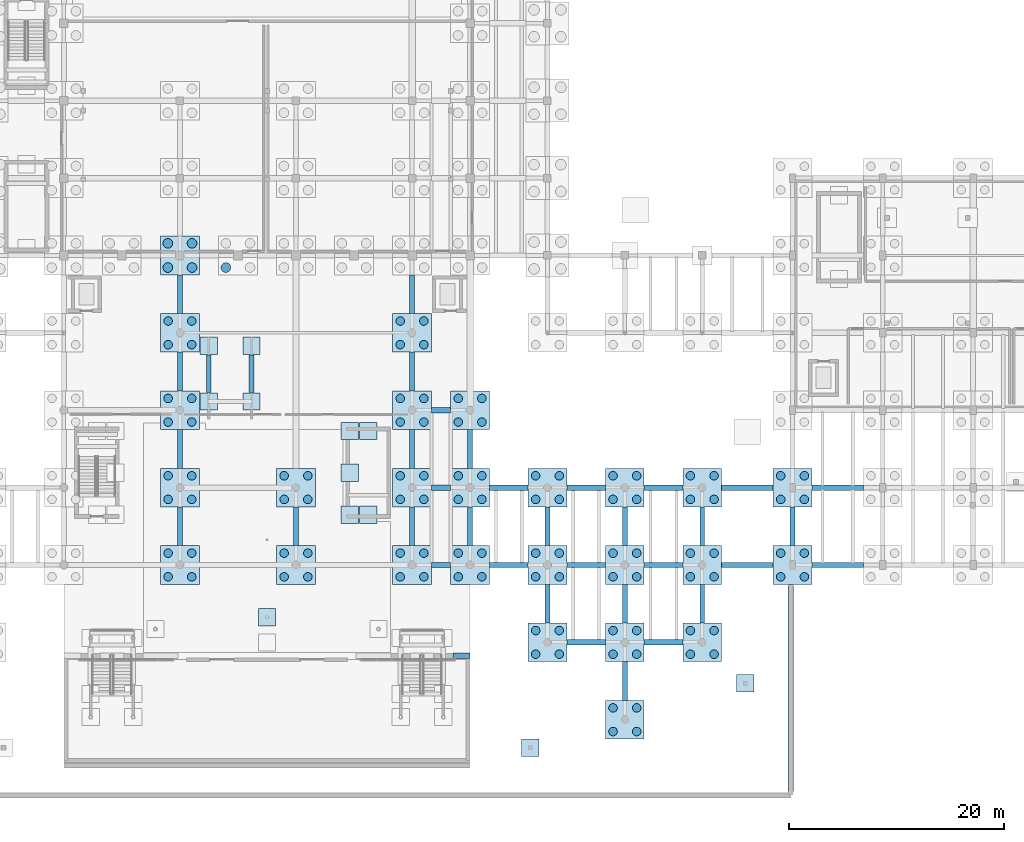
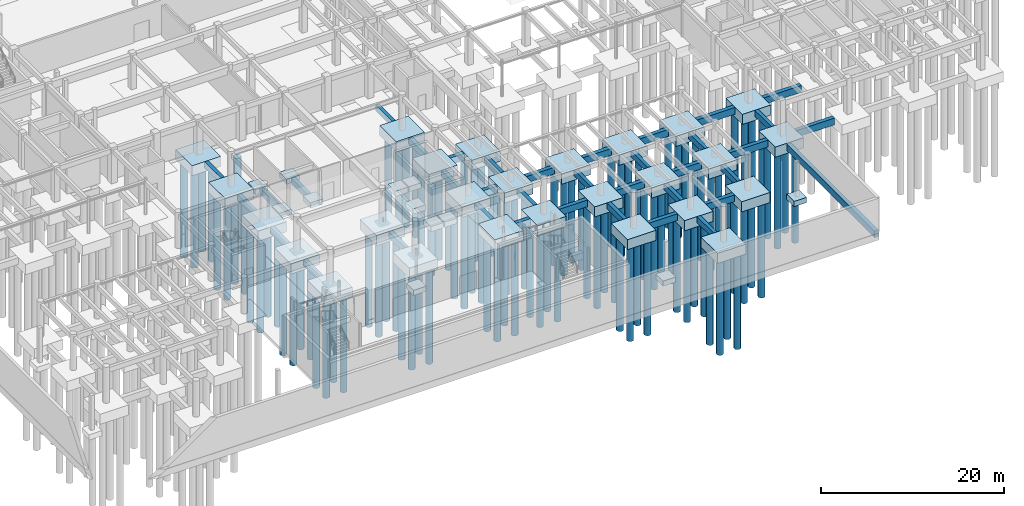
# One storey, part 3 of 46: 105 piles, 76 footings.
"""IFC4 building model written with IfcOpenShell, lengths in metres."""

from ifc_helpers import new_model, si_unit, direction, frame, origin, origin_2d, place, context, subcontext, project, spatial, rectangle, circle, extrude, material, material_profile, profile_set, type_object, element, save


model = new_model("IFC4")

# Units and contexts
model_context = context("Model", 3, precision=1e-05, world=origin(), true_north=direction((0.0, 1.0)))
body_context = subcontext(model_context, "Body", "Model", "MODEL_VIEW")
ifc_project = project(units=[si_unit("LENGTHUNIT", "METRE"), si_unit("AREAUNIT", "SQUARE_METRE"), si_unit("VOLUMEUNIT", "CUBIC_METRE"), si_unit("PLANEANGLEUNIT", "RADIAN"), si_unit("MASSUNIT", "GRAM", prefix="KILO")], contexts=[model_context])

# Site, building, storey
site_placement = place(None, origin())
site = spatial("IfcSite", under=ifc_project, at=site_placement, CompositionType="ELEMENT")
building_placement = place(site_placement, origin())
building = spatial("IfcBuilding", under=site, at=building_placement, Name="Tazoul Stagehouse", CompositionType="ELEMENT")
storey_placement = place(building_placement, frame((0.0, 0.0, -4.800048828125)))
storey = spatial("IfcBuildingStorey", under=building, at=storey_placement, Name="B1", CompositionType="ELEMENT", Elevation=-4.800048828125)

# Piles
ifc_material = material(Name="Concrete C35/45", Category="concrete")
ifc_material_profile_1 = material_profile(ifc_material, circle(Radius=0.39990234375, at=origin_2d()), Name="BORED PILE 800")
ifc_profile_set_1 = profile_set([ifc_material_profile_1], Name="Concrete C35/45")
pile_type_1 = type_object("IfcPileType", Name="Bored Cast-in-Place Concrete Pile D800", PredefinedType="BORED", material=ifc_profile_set_1)
for number, where, z_axis, x_axis, name in (
    (1, (67.300048828125, 21.89990234375, -1.25), (0.0, 0.0, -1.0), (1.0, 0.0, 0.0), "Bored Pile PL-01 10/D-1"),
    (2, (69.5, 21.89990234375, -1.25), (0.0, 0.0, -1.0), (1.0, 0.0, 0.0), "Bored Pile PL-01 10/D-2"),
    (3, (67.300048828125, 24.10009765625, -1.25), (0.0, 0.0, -1.0), (1.0, 0.0, 0.0), "Bored Pile PL-01 10/D-3"),
    (4, (69.5, 24.10009765625, -1.25), (0.0, 0.0, -1.0), (1.0, 0.0, 0.0), "Bored Pile PL-01 10/D-4"),
    (5, (67.300048828125, 29.10009765625, -1.25), (0.0, 0.0, -1.0), (1.0, 0.0, 0.0), "Bored Pile PL-01 10/E-1"),
    (6, (69.5, 29.10009765625, -1.25), (0.0, 0.0, -1.0), (1.0, 0.0, 0.0), "Bored Pile PL-01 10/E-2"),
    (7, (67.300048828125, 31.300048828125, -1.25), (0.0, 0.0, -1.0), (1.0, 0.0, 0.0), "Bored Pile PL-01 10/E-3"),
    (8, (69.5, 31.300048828125, -1.25), (0.0, 0.0, -1.0), (1.0, 0.0, 0.0), "Bored Pile PL-01 10/E-4"),
    (9, (67.300048828125, 36.300048828125, -1.25), (0.0, 0.0, -1.0), (1.0, 0.0, 0.0), "Bored Pile PL-01 10/F-1"),
    (10, (69.5, 36.300048828125, -1.25), (0.0, 0.0, -1.0), (1.0, 0.0, 0.0), "Bored Pile PL-01 10/F-2"),
    (11, (67.300048828125, 38.5, -1.25), (0.0, 0.0, -1.0), (1.0, 0.0, 0.0), "Bored Pile PL-01 10/F-3"),
    (12, (69.5, 38.5, -1.25), (0.0, 0.0, -1.0), (1.0, 0.0, 0.0), "Bored Pile PL-01 10/F-4"),
    (13, (67.300048828125, 43.5, -1.25), (0.0, 0.0, -1.0), (1.0, 0.0, 0.0), "Bored Pile PL-01 10/G-1"),
    (14, (69.5, 43.5, -1.25), (0.0, 0.0, -1.0), (1.0, 0.0, 0.0), "Bored Pile PL-01 10/G-2"),
    (15, (67.300048828125, 45.699951171875, -1.25), (0.0, 0.0, -1.0), (1.0, 0.0, 0.0), "Bored Pile PL-01 10/G-3"),
    (16, (69.5, 45.699951171875, -1.25), (0.0, 0.0, -1.0), (1.0, 0.0, 0.0), "Bored Pile PL-01 10/G-4"),
    (17, (78.10009765625, 21.89990234375, -1.25), (0.0, 0.0, -1.0), (1.0, 0.0, 0.0), "Bored Pile PL-01 12/D-1"),
    (18, (80.300048828125, 21.89990234375, -1.25), (0.0, 0.0, -1.0), (1.0, 0.0, 0.0), "Bored Pile PL-01 12/D-2"),
    (19, (78.10009765625, 24.10009765625, -1.25), (0.0, 0.0, -1.0), (1.0, 0.0, 0.0), "Bored Pile PL-01 12/D-3"),
    (20, (80.300048828125, 24.10009765625, -1.25), (0.0, 0.0, -1.0), (1.0, 0.0, 0.0), "Bored Pile PL-01 12/D-4"),
    (21, (78.10009765625, 29.10009765625, -1.25), (0.0, 0.0, -1.0), (1.0, 0.0, 0.0), "Bored Pile PL-01 12/E-1"),
    (22, (80.300048828125, 29.10009765625, -1.25), (0.0, 0.0, -1.0), (1.0, 0.0, 0.0), "Bored Pile PL-01 12/E-2"),
    (23, (78.10009765625, 31.300048828125, -1.25), (0.0, 0.0, -1.0), (1.0, 0.0, 0.0), "Bored Pile PL-01 12/E-3"),
    (24, (80.300048828125, 31.300048828125, -1.25), (0.0, 0.0, -1.0), (1.0, 0.0, 0.0), "Bored Pile PL-01 12/E-4"),
    (25, (88.89990234375, 21.89990234375, -1.25), (0.0, 0.0, -1.0), (1.0, 0.0, 0.0), "Bored Pile PL-01 14/D-1"),
    (26, (91.10009765625, 21.89990234375, -1.25), (0.0, 0.0, -1.0), (1.0, 0.0, 0.0), "Bored Pile PL-01 14/D-2"),
    (27, (88.89990234375, 24.10009765625, -1.25), (0.0, 0.0, -1.0), (1.0, 0.0, 0.0), "Bored Pile PL-01 14/D-3"),
    (28, (91.10009765625, 24.10009765625, -1.25), (0.0, 0.0, -1.0), (1.0, 0.0, 0.0), "Bored Pile PL-01 14/D-4"),
    (29, (88.89990234375, 29.10009765625, -1.25), (0.0, 0.0, -1.0), (1.0, 0.0, 0.0), "Bored Pile PL-01 14/E-1"),
    (30, (91.10009765625, 29.10009765625, -1.25), (0.0, 0.0, -1.0), (1.0, 0.0, 0.0), "Bored Pile PL-01 14/E-2"),
    (31, (88.89990234375, 31.300048828125, -1.25), (0.0, 0.0, -1.0), (1.0, 0.0, 0.0), "Bored Pile PL-01 14/E-3"),
    (32, (91.10009765625, 31.300048828125, -1.25), (0.0, 0.0, -1.0), (1.0, 0.0, 0.0), "Bored Pile PL-01 14/E-4"),
    (33, (88.89990234375, 36.300048828125, -1.25), (0.0, 0.0, -1.0), (1.0, 0.0, 0.0), "Bored Pile PL-01 14/F-1"),
    (34, (91.10009765625, 36.300048828125, -1.25), (0.0, 0.0, -1.0), (1.0, 0.0, 0.0), "Bored Pile PL-01 14/F-2"),
    (35, (88.89990234375, 38.5, -1.25), (0.0, 0.0, -1.0), (1.0, 0.0, 0.0), "Bored Pile PL-01 14/F-3"),
    (36, (91.10009765625, 38.5, -1.25), (0.0, 0.0, -1.0), (1.0, 0.0, 0.0), "Bored Pile PL-01 14/F-4"),
    (37, (88.89990234375, 43.5, -1.25), (0.0, 0.0, -1.0), (1.0, 0.0, 0.0), "Bored Pile PL-01 14/G-1"),
    (38, (91.10009765625, 43.5, -1.25), (0.0, 0.0, -1.0), (1.0, 0.0, 0.0), "Bored Pile PL-01 14/G-2"),
    (39, (88.89990234375, 45.699951171875, -1.25), (0.0, 0.0, -1.0), (1.0, 0.0, 0.0), "Bored Pile PL-01 14/G-3"),
    (40, (91.10009765625, 45.699951171875, -1.25), (0.0, 0.0, -1.0), (1.0, 0.0, 0.0), "Bored Pile PL-01 14/G-4"),
    (41, (94.300048828125, 21.89990234375, -1.25), (0.0, 0.0, -1.0), (1.0, 0.0, 0.0), "Bored Pile PL-01 15/D-1"),
    (42, (96.5, 21.89990234375, -1.25), (0.0, 0.0, -1.0), (1.0, 0.0, 0.0), "Bored Pile PL-01 15/D-2"),
    (43, (94.300048828125, 24.10009765625, -1.25), (0.0, 0.0, -1.0), (1.0, 0.0, 0.0), "Bored Pile PL-01 15/D-3"),
    (44, (96.5, 24.10009765625, -1.25), (0.0, 0.0, -1.0), (1.0, 0.0, 0.0), "Bored Pile PL-01 15/D-4"),
    (45, (94.300048828125, 29.10009765625, -1.25), (0.0, 0.0, -1.0), (1.0, 0.0, 0.0), "Bored Pile PL-01 15/E-1"),
    (46, (96.5, 29.10009765625, -1.25), (0.0, 0.0, -1.0), (1.0, 0.0, 0.0), "Bored Pile PL-01 15/E-2"),
    (47, (94.300048828125, 31.300048828125, -1.25), (0.0, 0.0, -1.0), (1.0, 0.0, 0.0), "Bored Pile PL-01 15/E-3"),
    (48, (96.5, 31.300048828125, -1.25), (0.0, 0.0, -1.0), (1.0, 0.0, 0.0), "Bored Pile PL-01 15/E-4"),
    (49, (94.300048828125, 36.300048828125, -1.25), (0.0, 0.0, -1.0), (1.0, 0.0, 0.0), "Bored Pile PL-01 15/F-1"),
    (50, (96.5, 36.300048828125, -1.25), (0.0, 0.0, -1.0), (1.0, 0.0, 0.0), "Bored Pile PL-01 15/F-2"),
    (51, (94.300048828125, 38.5, -1.25), (0.0, 0.0, -1.0), (1.0, 0.0, 0.0), "Bored Pile PL-01 15/F-3"),
    (52, (96.5, 38.5, -1.25), (0.0, 0.0, -1.0), (1.0, 0.0, 0.0), "Bored Pile PL-01 15/F-4"),
    (53, (101.5, 14.699951171875, -1.25), (0.0, 0.0, -1.0), (1.0, 0.0, 0.0), "Bored Pile PL-01 16/C-1"),
    (54, (103.699951171875, 14.699951171875, -1.25), (0.0, 0.0, -1.0), (1.0, 0.0, 0.0), "Bored Pile PL-01 16/C-2"),
    (55, (101.5, 16.89990234375, -1.25), (0.0, 0.0, -1.0), (1.0, 0.0, 0.0), "Bored Pile PL-01 16/C-3"),
    (56, (103.699951171875, 16.89990234375, -1.25), (0.0, 0.0, -1.0), (1.0, 0.0, 0.0), "Bored Pile PL-01 16/C-4"),
    (57, (101.5, 21.89990234375, -1.25), (0.0, 0.0, -1.0), (1.0, 0.0, 0.0), "Bored Pile PL-01 16/D-1"),
    (58, (103.699951171875, 21.89990234375, -1.25), (0.0, 0.0, -1.0), (1.0, 0.0, 0.0), "Bored Pile PL-01 16/D-2"),
    (59, (101.5, 24.10009765625, -1.25), (0.0, 0.0, -1.0), (1.0, 0.0, 0.0), "Bored Pile PL-01 16/D-3"),
    (60, (103.699951171875, 24.10009765625, -1.25), (0.0, 0.0, -1.0), (1.0, 0.0, 0.0), "Bored Pile PL-01 16/D-4"),
    (61, (101.5, 29.10009765625, -1.25), (0.0, 0.0, -1.0), (1.0, 0.0, 0.0), "Bored Pile PL-01 16/E-1"),
    (62, (103.699951171875, 29.10009765625, -1.25), (0.0, 0.0, -1.0), (1.0, 0.0, 0.0), "Bored Pile PL-01 16/E-2"),
    (63, (101.5, 31.300048828125, -1.25), (0.0, 0.0, -1.0), (1.0, 0.0, 0.0), "Bored Pile PL-01 16/E-3"),
    (64, (103.699951171875, 31.300048828125, -1.25), (0.0, 0.0, -1.0), (1.0, 0.0, 0.0), "Bored Pile PL-01 16/E-4"),
    (65, (108.699951171875, 7.5, -1.25), (0.0, 0.0, -1.0), (1.0, 0.0, 0.0), "Bored Pile PL-01 17/B-1"),
    (66, (110.89990234375, 7.5, -1.25), (0.0, 0.0, -1.0), (1.0, 0.0, 0.0), "Bored Pile PL-01 17/B-2"),
    (67, (108.699951171875, 9.699951171875, -1.25), (0.0, 0.0, -1.0), (1.0, 0.0, 0.0), "Bored Pile PL-01 17/B-3"),
    (68, (110.89990234375, 9.699951171875, -1.25), (0.0, 0.0, -1.0), (1.0, 0.0, 0.0), "Bored Pile PL-01 17/B-4"),
    (69, (108.699951171875, 14.699951171875, -1.25), (0.0, 0.0, -1.0), (1.0, 0.0, 0.0), "Bored Pile PL-01 17/C-1"),
    (70, (110.89990234375, 14.699951171875, -1.25), (0.0, 0.0, -1.0), (1.0, 0.0, 0.0), "Bored Pile PL-01 17/C-2"),
    (71, (108.699951171875, 16.89990234375, -1.25), (0.0, 0.0, -1.0), (1.0, 0.0, 0.0), "Bored Pile PL-01 17/C-3"),
    (72, (110.89990234375, 16.89990234375, -1.25), (0.0, 0.0, -1.0), (1.0, 0.0, 0.0), "Bored Pile PL-01 17/C-4"),
    (73, (108.699951171875, 21.89990234375, -1.25), (0.0, 0.0, -1.0), (1.0, 0.0, 0.0), "Bored Pile PL-01 17/D-1"),
    (74, (110.89990234375, 21.89990234375, -1.25), (0.0, 0.0, -1.0), (1.0, 0.0, 0.0), "Bored Pile PL-01 17/D-2"),
    (75, (108.699951171875, 24.10009765625, -1.25), (0.0, 0.0, -1.0), (1.0, 0.0, 0.0), "Bored Pile PL-01 17/D-3"),
    (76, (110.89990234375, 24.10009765625, -1.25), (0.0, 0.0, -1.0), (1.0, 0.0, 0.0), "Bored Pile PL-01 17/D-4"),
    (77, (108.699951171875, 29.10009765625, -1.25), (0.0, 0.0, -1.0), (1.0, 0.0, 0.0), "Bored Pile PL-01 17/E-1"),
    (78, (110.89990234375, 29.10009765625, -1.25), (0.0, 0.0, -1.0), (1.0, 0.0, 0.0), "Bored Pile PL-01 17/E-2"),
    (79, (108.699951171875, 31.300048828125, -1.25), (0.0, 0.0, -1.0), (1.0, 0.0, 0.0), "Bored Pile PL-01 17/E-3"),
    (80, (110.89990234375, 31.300048828125, -1.25), (0.0, 0.0, -1.0), (1.0, 0.0, 0.0), "Bored Pile PL-01 17/E-4"),
    (81, (115.89990234375, 14.699951171875, -1.25), (0.0, 0.0, -1.0), (1.0, 0.0, 0.0), "Bored Pile PL-01 18/C-1"),
    (82, (118.10009765625, 14.699951171875, -1.25), (0.0, 0.0, -1.0), (1.0, 0.0, 0.0), "Bored Pile PL-01 18/C-2"),
    (83, (115.89990234375, 16.89990234375, -1.25), (0.0, 0.0, -1.0), (1.0, 0.0, 0.0), "Bored Pile PL-01 18/C-3"),
    (84, (118.10009765625, 16.89990234375, -1.25), (0.0, 0.0, -1.0), (1.0, 0.0, 0.0), "Bored Pile PL-01 18/C-4"),
    (85, (115.89990234375, 21.89990234375, -1.25), (0.0, 0.0, -1.0), (1.0, 0.0, 0.0), "Bored Pile PL-01 18/D-1"),
    (86, (118.10009765625, 21.89990234375, -1.25), (0.0, 0.0, -1.0), (1.0, 0.0, 0.0), "Bored Pile PL-01 18/D-2"),
    (87, (115.89990234375, 24.10009765625, -1.25), (0.0, 0.0, -1.0), (1.0, 0.0, 0.0), "Bored Pile PL-01 18/D-3"),
    (88, (118.10009765625, 24.10009765625, -1.25), (0.0, 0.0, -1.0), (1.0, 0.0, 0.0), "Bored Pile PL-01 18/D-4"),
    (89, (115.89990234375, 29.10009765625, -1.25), (0.0, 0.0, -1.0), (1.0, 0.0, 0.0), "Bored Pile PL-01 18/E-1"),
    (90, (118.10009765625, 29.10009765625, -1.25), (0.0, 0.0, -1.0), (1.0, 0.0, 0.0), "Bored Pile PL-01 18/E-2"),
    (91, (115.89990234375, 31.300048828125, -1.25), (0.0, 0.0, -1.0), (1.0, 0.0, 0.0), "Bored Pile PL-01 18/E-3"),
    (92, (118.10009765625, 31.300048828125, -1.25), (0.0, 0.0, -1.0), (1.0, 0.0, 0.0), "Bored Pile PL-01 18/E-4"),
    (93, (124.300048828125, 21.89990234375, -1.25), (0.0, 0.0, -1.0), (1.0, 0.0, 0.0), "Bored Pile PL-01 19/D-1"),
    (94, (126.5, 21.89990234375, -1.25), (0.0, 0.0, -1.0), (1.0, 0.0, 0.0), "Bored Pile PL-01 19/D-2"),
    (95, (124.300048828125, 24.10009765625, -1.25), (0.0, 0.0, -1.0), (1.0, 0.0, 0.0), "Bored Pile PL-01 19/D-3"),
    (96, (126.5, 24.10009765625, -1.25), (0.0, 0.0, -1.0), (1.0, 0.0, 0.0), "Bored Pile PL-01 19/D-4"),
    (97, (124.300048828125, 29.10009765625, -1.25), (0.0, 0.0, -1.0), (1.0, 0.0, 0.0), "Bored Pile PL-01 19/E-1"),
    (98, (126.5, 29.10009765625, -1.25), (0.0, 0.0, -1.0), (1.0, 0.0, 0.0), "Bored Pile PL-01 19/E-2"),
    (99, (124.300048828125, 31.300048828125, -1.25), (0.0, 0.0, -1.0), (1.0, 0.0, 0.0), "Bored Pile PL-01 19/E-3"),
    (100, (126.5, 31.300048828125, -1.25), (0.0, 0.0, -1.0), (1.0, 0.0, 0.0), "Bored Pile PL-01 19/E-4"),
):
    element("IfcPile", number, at=place(storey_placement, frame(where, z_axis=z_axis, x_axis=x_axis)), inside=storey, type_object=pile_type_1, Name=name, PredefinedType="BORED", context=body_context, shape_type="SweptSolid", body=[
        extrude(circle(Radius=0.39990234375, at=origin_2d()), origin(), (0.0, 0.0, 1.0), 12.75),
    ])
ifc_material_profile_2 = material_profile(ifc_material, circle(Radius=0.449951171875, at=origin_2d()), Name="BORED PILE 900")
ifc_profile_set_2 = profile_set([ifc_material_profile_2], Name="Concrete C35/45")
pile_type_2 = type_object("IfcPileType", Name="Bored Cast-in-Place Concrete Pile D900", PredefinedType="BORED", material=ifc_profile_set_2)
for number, where, z_axis, x_axis, name in (
    (101, (67.27490234375, 50.675048828125, -1.25), (0.0, 0.0, -1.0), (1.0, 0.0, 0.0), "Bored Pile PL-02 10/H-1"),
    (102, (69.52490234375, 50.675048828125, -1.25), (0.0, 0.0, -1.0), (1.0, 0.0, 0.0), "Bored Pile PL-02 10/H-2"),
    (103, (67.27490234375, 52.925048828125, -1.25), (0.0, 0.0, -1.0), (1.0, 0.0, 0.0), "Bored Pile PL-02 10/H-3"),
    (104, (69.52490234375, 52.925048828125, -1.25), (0.0, 0.0, -1.0), (1.0, 0.0, 0.0), "Bored Pile PL-02 10/H-4"),
    (105, (72.675048828125, 50.675048828125, -1.25), (0.0, 0.0, -1.0), (1.0, 0.0, 0.0), "Bored Pile PL-02 11/H-1"),
):
    element("IfcPile", number, at=place(storey_placement, frame(where, z_axis=z_axis, x_axis=x_axis)), inside=storey, type_object=pile_type_2, Name=name, PredefinedType="BORED", context=body_context, shape_type="SweptSolid", body=[
        extrude(circle(Radius=0.449951171875, at=origin_2d()), origin(), (0.0, 0.0, 1.0), 12.75),
    ])

# Footings
footing_type_1 = type_object("IfcFootingType", Name="Four-Pile Cap 3600x3600x1350", PredefinedType="PILE_CAP", material=ifc_material)
for number, where, z_axis, x_axis, name in (
    (106, (68.39990234375, 23.0, -1.35009765625), (0.0, 0.0, 1.0), (1.0, 0.0, 0.0), "Pile Cap PC-04 at 10/D"),
    (107, (68.39990234375, 30.199951171875, -1.35009765625), (0.0, 0.0, 1.0), (1.0, 0.0, 0.0), "Pile Cap PC-04 at 10/E"),
    (108, (68.39990234375, 37.39990234375, -1.35009765625), (0.0, 0.0, 1.0), (1.0, 0.0, 0.0), "Pile Cap PC-04 at 10/F"),
    (109, (68.39990234375, 44.60009765625, -1.35009765625), (0.0, 0.0, 1.0), (1.0, 0.0, 0.0), "Pile Cap PC-04 at 10/G"),
    (110, (68.39990234375, 51.800048828125, -1.35009765625), (0.0, 0.0, 1.0), (1.0, 0.0, 0.0), "Pile Cap PC-04 at 10/H"),
    (111, (79.199951171875, 23.0, -1.35009765625), (0.0, 0.0, 1.0), (1.0, 0.0, 0.0), "Pile Cap PC-04 at 12/D"),
    (112, (79.199951171875, 30.199951171875, -1.35009765625), (0.0, 0.0, 1.0), (1.0, 0.0, 0.0), "Pile Cap PC-04 at 12/E"),
    (113, (90.0, 23.0, -1.35009765625), (0.0, 0.0, 1.0), (1.0, 0.0, 0.0), "Pile Cap PC-04 at 14/D"),
    (114, (90.0, 30.199951171875, -1.35009765625), (0.0, 0.0, 1.0), (1.0, 0.0, 0.0), "Pile Cap PC-04 at 14/E"),
    (115, (90.0, 37.39990234375, -1.35009765625), (0.0, 0.0, 1.0), (1.0, 0.0, 0.0), "Pile Cap PC-04 at 14/F"),
    (116, (90.0, 44.60009765625, -1.35009765625), (0.0, 0.0, 1.0), (1.0, 0.0, 0.0), "Pile Cap PC-04 at 14/G"),
    (117, (95.39990234375, 23.0, -1.35009765625), (0.0, 0.0, 1.0), (1.0, 0.0, 0.0), "Pile Cap PC-04 at 15/D"),
    (118, (95.39990234375, 30.199951171875, -1.35009765625), (0.0, 0.0, 1.0), (1.0, 0.0, 0.0), "Pile Cap PC-04 at 15/E"),
    (119, (95.39990234375, 37.39990234375, -1.35009765625), (0.0, 0.0, 1.0), (1.0, 0.0, 0.0), "Pile Cap PC-04 at 15/F"),
    (120, (102.60009765625, 15.800048828125, -1.35009765625), (0.0, 0.0, 1.0), (1.0, 0.0, 0.0), "Pile Cap PC-04 at 16/C"),
    (121, (102.60009765625, 23.0, -1.35009765625), (0.0, 0.0, 1.0), (1.0, 0.0, 0.0), "Pile Cap PC-04 at 16/D"),
    (122, (102.60009765625, 30.199951171875, -1.35009765625), (0.0, 0.0, 1.0), (1.0, 0.0, 0.0), "Pile Cap PC-04 at 16/E"),
    (123, (109.800048828125, 8.60009765625, -1.35009765625), (0.0, 0.0, 1.0), (1.0, 0.0, 0.0), "Pile Cap PC-04 at 17/B"),
    (124, (109.800048828125, 15.800048828125, -1.35009765625), (0.0, 0.0, 1.0), (1.0, 0.0, 0.0), "Pile Cap PC-04 at 17/C"),
    (125, (109.800048828125, 23.0, -1.35009765625), (0.0, 0.0, 1.0), (1.0, 0.0, 0.0), "Pile Cap PC-04 at 17/D"),
    (126, (109.800048828125, 30.199951171875, -1.35009765625), (0.0, 0.0, 1.0), (1.0, 0.0, 0.0), "Pile Cap PC-04 at 17/E"),
    (127, (117.0, 15.800048828125, -1.35009765625), (0.0, 0.0, 1.0), (1.0, 0.0, 0.0), "Pile Cap PC-04 at 18/C"),
    (128, (117.0, 23.0, -1.35009765625), (0.0, 0.0, 1.0), (1.0, 0.0, 0.0), "Pile Cap PC-04 at 18/D"),
    (129, (117.0, 30.199951171875, -1.35009765625), (0.0, 0.0, 1.0), (1.0, 0.0, 0.0), "Pile Cap PC-04 at 18/E"),
    (130, (125.39990234375, 23.0, -1.35009765625), (0.0, 0.0, 1.0), (1.0, 0.0, 0.0), "Pile Cap PC-04 at 19/D"),
    (131, (125.39990234375, 30.199951171875, -1.35009765625), (0.0, 0.0, 1.0), (1.0, 0.0, 0.0), "Pile Cap PC-04 at 19/E"),
):
    element("IfcFooting", number, at=place(storey_placement, frame(where, z_axis=z_axis, x_axis=x_axis)), inside=storey, type_object=footing_type_1, Name=name, PredefinedType="PILE_CAP", context=body_context, shape_type="SweptSolid", body=[
        extrude(rectangle(XDim=3.60009765625, YDim=3.60009765625, at=origin_2d()), origin(), (0.0, 0.0, 1.0), 1.35009765625),
    ])
ifc_material_profile_3 = material_profile(ifc_material, rectangle(XDim=0.449951171875, YDim=0.800048828125, at=origin_2d()), Name="RC 450x800")
ifc_profile_set_3 = profile_set([ifc_material_profile_3], Name="Concrete C35/45")
footing_type_2 = type_object("IfcFootingType", Name="Ground Tie Beam 450x800", PredefinedType="FOOTING_BEAM", material=ifc_profile_set_3)
footing_1_placement = place(storey_placement, frame((68.39990234375, 24.800048828125, -0.39990234375), z_axis=(0.0, 1.0, 0.0), x_axis=(-1.0, 0.0, 0.0)))
element("IfcFooting", 132, at=footing_1_placement, inside=storey, type_object=footing_type_2, Name="Ground Tie Beam GB-01 10/D-E", PredefinedType="FOOTING_BEAM", context=body_context, shape_type="SweptSolid", body=[
    extrude(rectangle(XDim=0.449951171875, YDim=0.800048828125, at=origin_2d()), origin(), (0.0, 0.0, 1.0), 3.599853515625),
])
for number, where, z_axis, x_axis, name in (
    (133, (68.39990234375, 32.0, -0.39990234375), (0.0, 1.0, 0.0), (-1.0, 0.0, 0.0), "Ground Tie Beam GB-01 10/E-F"),
    (134, (68.39990234375, 39.199951171875, -0.39990234375), (0.0, 1.0, 0.0), (-1.0, 0.0, 0.0), "Ground Tie Beam GB-01 10/F-G"),
    (135, (68.39990234375, 46.39990234375, -0.39990234375), (0.0, 1.0, 0.0), (-1.0, 0.0, 0.0), "Ground Tie Beam GB-01 10/G-H"),
):
    element("IfcFooting", number, at=place(storey_placement, frame(where, z_axis=z_axis, x_axis=x_axis)), inside=storey, type_object=footing_type_2, Name=name, PredefinedType="FOOTING_BEAM", context=body_context, shape_type="SweptSolid", body=[
        extrude(rectangle(XDim=0.449951171875, YDim=0.800048828125, at=origin_2d()), origin(), (0.0, 0.0, 1.0), 3.60009765625),
    ])
for number, where, z_axis, x_axis, name in (
    (136, (79.199951171875, 24.800048828125, -0.39990234375), (0.0, 1.0, 0.0), (-1.0, 0.0, 0.0), "Ground Tie Beam GB-01 12/D-E"),
    (137, (90.0, 24.800048828125, -0.39990234375), (0.0, 1.0, 0.0), (-1.0, 0.0, 0.0), "Ground Tie Beam GB-01 14/D-E"),
):
    element("IfcFooting", number, at=place(storey_placement, frame(where, z_axis=z_axis, x_axis=x_axis)), inside=storey, type_object=footing_type_2, Name=name, PredefinedType="FOOTING_BEAM", context=body_context, shape_type="SweptSolid", body=[
        extrude(rectangle(XDim=0.449951171875, YDim=0.800048828125, at=origin_2d()), origin(), (0.0, 0.0, 1.0), 3.599853515625),
    ])
for number, where, z_axis, x_axis, name in (
    (138, (90.0, 32.0, -0.39990234375), (0.0, 1.0, 0.0), (-1.0, 0.0, 0.0), "Ground Tie Beam GB-01 14/E-F"),
    (139, (90.0, 39.199951171875, -0.39990234375), (0.0, 1.0, 0.0), (-1.0, 0.0, 0.0), "Ground Tie Beam GB-01 14/F-G"),
    (140, (90.0, 46.39990234375, -0.39990234375), (0.0, 1.0, 0.0), (-1.0, 0.0, 0.0), "Ground Tie Beam GB-01 14/G-H"),
):
    element("IfcFooting", number, at=place(storey_placement, frame(where, z_axis=z_axis, x_axis=x_axis)), inside=storey, type_object=footing_type_2, Name=name, PredefinedType="FOOTING_BEAM", context=body_context, shape_type="SweptSolid", body=[
        extrude(rectangle(XDim=0.449951171875, YDim=0.800048828125, at=origin_2d()), origin(), (0.0, 0.0, 1.0), 3.60009765625),
    ])
footing_2_placement = place(storey_placement, frame((95.39990234375, 24.800048828125, -0.39990234375), z_axis=(0.0, 1.0, 0.0), x_axis=(-1.0, 0.0, 0.0)))
element("IfcFooting", 141, at=footing_2_placement, inside=storey, type_object=footing_type_2, Name="Ground Tie Beam GB-01 15/D-E", PredefinedType="FOOTING_BEAM", context=body_context, shape_type="SweptSolid", body=[
    extrude(rectangle(XDim=0.449951171875, YDim=0.800048828125, at=origin_2d()), origin(), (0.0, 0.0, 1.0), 3.599853515625),
])
footing_3_placement = place(storey_placement, frame((95.39990234375, 32.0, -0.39990234375), z_axis=(0.0, 1.0, 0.0), x_axis=(-1.0, 0.0, 0.0)))
element("IfcFooting", 142, at=footing_3_placement, inside=storey, type_object=footing_type_2, Name="Ground Tie Beam GB-01 15/E-F", PredefinedType="FOOTING_BEAM", context=body_context, shape_type="SweptSolid", body=[
    extrude(rectangle(XDim=0.449951171875, YDim=0.800048828125, at=origin_2d()), origin(), (0.0, 0.0, 1.0), 3.60009765625),
])
for number, where, z_axis, x_axis, name in (
    (143, (102.60009765625, 17.60009765625, -0.39990234375), (0.0, 1.0, 0.0), (-1.0, 0.0, 0.0), "Ground Tie Beam GB-01 16/C-D"),
    (144, (102.60009765625, 24.800048828125, -0.39990234375), (0.0, 1.0, 0.0), (-1.0, 0.0, 0.0), "Ground Tie Beam GB-01 16/D-E"),
):
    element("IfcFooting", number, at=place(storey_placement, frame(where, z_axis=z_axis, x_axis=x_axis)), inside=storey, type_object=footing_type_2, Name=name, PredefinedType="FOOTING_BEAM", context=body_context, shape_type="SweptSolid", body=[
        extrude(rectangle(XDim=0.449951171875, YDim=0.800048828125, at=origin_2d()), origin(), (0.0, 0.0, 1.0), 3.599853515625),
    ])
footing_4_placement = place(storey_placement, frame((109.800048828125, 10.39990234375, -0.39990234375), z_axis=(0.0, 1.0, 0.0), x_axis=(-1.0, 0.0, 0.0)))
element("IfcFooting", 145, at=footing_4_placement, inside=storey, type_object=footing_type_2, Name="Ground Tie Beam GB-01 17/B-C", PredefinedType="FOOTING_BEAM", context=body_context, shape_type="SweptSolid", body=[
    extrude(rectangle(XDim=0.449951171875, YDim=0.800048828125, at=origin_2d()), origin(), (0.0, 0.0, 1.0), 3.60009765625),
])
for number, where, z_axis, x_axis, name in (
    (146, (109.800048828125, 17.60009765625, -0.39990234375), (0.0, 1.0, 0.0), (-1.0, 0.0, 0.0), "Ground Tie Beam GB-01 17/C-D"),
    (147, (109.800048828125, 24.800048828125, -0.39990234375), (0.0, 1.0, 0.0), (-1.0, 0.0, 0.0), "Ground Tie Beam GB-01 17/D-E"),
    (148, (117.0, 17.60009765625, -0.39990234375), (0.0, 1.0, 0.0), (-1.0, 0.0, 0.0), "Ground Tie Beam GB-01 18/C-D"),
    (149, (117.0, 24.800048828125, -0.39990234375), (0.0, 1.0, 0.0), (-1.0, 0.0, 0.0), "Ground Tie Beam GB-01 18/D-E"),
    (150, (125.39990234375, 24.800048828125, -0.39990234375), (0.0, 1.0, 0.0), (-1.0, 0.0, 0.0), "Ground Tie Beam GB-01 19/D-E"),
):
    element("IfcFooting", number, at=place(storey_placement, frame(where, z_axis=z_axis, x_axis=x_axis)), inside=storey, type_object=footing_type_2, Name=name, PredefinedType="FOOTING_BEAM", context=body_context, shape_type="SweptSolid", body=[
        extrude(rectangle(XDim=0.449951171875, YDim=0.800048828125, at=origin_2d()), origin(), (0.0, 0.0, 1.0), 3.599853515625),
    ])
for number, where, z_axis, x_axis, name in (
    (151, (71.090087890625, 39.06005859375, -0.39990234375), (0.0, 1.0, 0.0), (-1.0, 0.0, 0.0), "Civic Stair Cheek Wall Strip Footing Beam GB-01 (ST-ATR-01-W)"),
    (152, (75.06005859375, 39.06005859375, -0.39990234375), (0.0, 1.0, 0.0), (-1.0, 0.0, 0.0), "Civic Stair Cheek Wall Strip Footing Beam GB-01 (ST-ATR-01-E)"),
):
    element("IfcFooting", number, at=place(storey_placement, frame(where, z_axis=z_axis, x_axis=x_axis)), inside=storey, type_object=footing_type_2, Name=name, PredefinedType="FOOTING_BEAM", context=body_context, shape_type="SweptSolid", body=[
        extrude(rectangle(XDim=0.449951171875, YDim=0.800048828125, at=origin_2d()), origin(), (0.0, 0.0, 1.0), 3.47998046875),
    ])
ifc_material_profile_4 = material_profile(ifc_material, rectangle(XDim=0.5, YDim=0.89990234375, at=origin_2d()), Name="RC 500x900")
ifc_profile_set_4 = profile_set([ifc_material_profile_4], Name="Concrete C35/45")
footing_type_3 = type_object("IfcFootingType", Name="Ground Tie Beam 500x900", PredefinedType="FOOTING_BEAM", material=ifc_profile_set_4)
footing_5_placement = place(storey_placement, frame((104.39990234375, 15.800048828125, -0.449951171875), z_axis=(1.0, 0.0, 0.0), x_axis=(0.0, 1.0, 0.0)))
element("IfcFooting", 153, at=footing_5_placement, inside=storey, type_object=footing_type_3, Name="Ground Tie Beam GB-02 C/16-17", PredefinedType="FOOTING_BEAM", context=body_context, shape_type="SweptSolid", body=[
    extrude(rectangle(XDim=0.5, YDim=0.89990234375, at=origin_2d()), origin(), (0.0, 0.0, 1.0), 3.60009765625),
])
footing_6_placement = place(storey_placement, frame((111.60009765625, 15.800048828125, -0.449951171875), z_axis=(1.0, 0.0, 0.0), x_axis=(0.0, 1.0, 0.0)))
element("IfcFooting", 154, at=footing_6_placement, inside=storey, type_object=footing_type_3, Name="Ground Tie Beam GB-02 C/17-18", PredefinedType="FOOTING_BEAM", context=body_context, shape_type="SweptSolid", body=[
    extrude(rectangle(XDim=0.5, YDim=0.89990234375, at=origin_2d()), origin(), (0.0, 0.0, 1.0), 3.599853515625),
])
footing_7_placement = place(storey_placement, frame((91.800048828125, 23.0, -0.449951171875), z_axis=(1.0, 0.0, 0.0), x_axis=(0.0, 1.0, 0.0)))
element("IfcFooting", 155, at=footing_7_placement, inside=storey, type_object=footing_type_3, Name="Ground Tie Beam GB-02 D/14-15", PredefinedType="FOOTING_BEAM", context=body_context, shape_type="SweptSolid", body=[
    extrude(rectangle(XDim=0.5, YDim=0.89990234375, at=origin_2d()), origin(), (0.0, 0.0, 1.0), 1.800048828125),
])
for number, where, z_axis, x_axis, name in (
    (156, (97.199951171875, 23.0, -0.449951171875), (1.0, 0.0, 0.0), (0.0, 1.0, 0.0), "Ground Tie Beam GB-02 D/15-16"),
    (157, (104.39990234375, 23.0, -0.449951171875), (1.0, 0.0, 0.0), (0.0, 1.0, 0.0), "Ground Tie Beam GB-02 D/16-17"),
):
    element("IfcFooting", number, at=place(storey_placement, frame(where, z_axis=z_axis, x_axis=x_axis)), inside=storey, type_object=footing_type_3, Name=name, PredefinedType="FOOTING_BEAM", context=body_context, shape_type="SweptSolid", body=[
        extrude(rectangle(XDim=0.5, YDim=0.89990234375, at=origin_2d()), origin(), (0.0, 0.0, 1.0), 3.60009765625),
    ])
footing_8_placement = place(storey_placement, frame((111.60009765625, 23.0, -0.449951171875), z_axis=(1.0, 0.0, 0.0), x_axis=(0.0, 1.0, 0.0)))
element("IfcFooting", 158, at=footing_8_placement, inside=storey, type_object=footing_type_3, Name="Ground Tie Beam GB-02 D/17-18", PredefinedType="FOOTING_BEAM", context=body_context, shape_type="SweptSolid", body=[
    extrude(rectangle(XDim=0.5, YDim=0.89990234375, at=origin_2d()), origin(), (0.0, 0.0, 1.0), 3.599853515625),
])
for number, where, z_axis, x_axis, name in (
    (159, (118.800048828125, 23.0, -0.449951171875), (1.0, 0.0, 0.0), (0.0, 1.0, 0.0), "Ground Tie Beam GB-02 D/18-19"),
    (160, (127.199951171875, 23.0, -0.449951171875), (1.0, 0.0, 0.0), (0.0, 1.0, 0.0), "Ground Tie Beam GB-02 D/19-20"),
):
    element("IfcFooting", number, at=place(storey_placement, frame(where, z_axis=z_axis, x_axis=x_axis)), inside=storey, type_object=footing_type_3, Name=name, PredefinedType="FOOTING_BEAM", context=body_context, shape_type="SweptSolid", body=[
        extrude(rectangle(XDim=0.5, YDim=0.89990234375, at=origin_2d()), origin(), (0.0, 0.0, 1.0), 4.800048828125),
    ])
footing_9_placement = place(storey_placement, frame((91.800048828125, 30.199951171875, -0.449951171875), z_axis=(1.0, 0.0, 0.0), x_axis=(0.0, 1.0, 0.0)))
element("IfcFooting", 161, at=footing_9_placement, inside=storey, type_object=footing_type_3, Name="Ground Tie Beam GB-02 E/14-15", PredefinedType="FOOTING_BEAM", context=body_context, shape_type="SweptSolid", body=[
    extrude(rectangle(XDim=0.5, YDim=0.89990234375, at=origin_2d()), origin(), (0.0, 0.0, 1.0), 1.800048828125),
])
for number, where, z_axis, x_axis, name in (
    (162, (97.199951171875, 30.199951171875, -0.449951171875), (1.0, 0.0, 0.0), (0.0, 1.0, 0.0), "Ground Tie Beam GB-02 E/15-16"),
    (163, (104.39990234375, 30.199951171875, -0.449951171875), (1.0, 0.0, 0.0), (0.0, 1.0, 0.0), "Ground Tie Beam GB-02 E/16-17"),
):
    element("IfcFooting", number, at=place(storey_placement, frame(where, z_axis=z_axis, x_axis=x_axis)), inside=storey, type_object=footing_type_3, Name=name, PredefinedType="FOOTING_BEAM", context=body_context, shape_type="SweptSolid", body=[
        extrude(rectangle(XDim=0.5, YDim=0.89990234375, at=origin_2d()), origin(), (0.0, 0.0, 1.0), 3.60009765625),
    ])
footing_10_placement = place(storey_placement, frame((111.60009765625, 30.199951171875, -0.449951171875), z_axis=(1.0, 0.0, 0.0), x_axis=(0.0, 1.0, 0.0)))
element("IfcFooting", 164, at=footing_10_placement, inside=storey, type_object=footing_type_3, Name="Ground Tie Beam GB-02 E/17-18", PredefinedType="FOOTING_BEAM", context=body_context, shape_type="SweptSolid", body=[
    extrude(rectangle(XDim=0.5, YDim=0.89990234375, at=origin_2d()), origin(), (0.0, 0.0, 1.0), 3.599853515625),
])
for number, where, z_axis, x_axis, name in (
    (165, (118.800048828125, 30.199951171875, -0.449951171875), (1.0, 0.0, 0.0), (0.0, 1.0, 0.0), "Ground Tie Beam GB-02 E/18-19"),
    (166, (127.199951171875, 30.199951171875, -0.449951171875), (1.0, 0.0, 0.0), (0.0, 1.0, 0.0), "Ground Tie Beam GB-02 E/19-20"),
):
    element("IfcFooting", number, at=place(storey_placement, frame(where, z_axis=z_axis, x_axis=x_axis)), inside=storey, type_object=footing_type_3, Name=name, PredefinedType="FOOTING_BEAM", context=body_context, shape_type="SweptSolid", body=[
        extrude(rectangle(XDim=0.5, YDim=0.89990234375, at=origin_2d()), origin(), (0.0, 0.0, 1.0), 4.800048828125),
    ])
footing_11_placement = place(storey_placement, frame((91.800048828125, 37.39990234375, -0.449951171875), z_axis=(1.0, 0.0, 0.0), x_axis=(0.0, 1.0, 0.0)))
element("IfcFooting", 167, at=footing_11_placement, inside=storey, type_object=footing_type_3, Name="Ground Tie Beam GB-02 F/14-15", PredefinedType="FOOTING_BEAM", context=body_context, shape_type="SweptSolid", body=[
    extrude(rectangle(XDim=0.5, YDim=0.89990234375, at=origin_2d()), origin(), (0.0, 0.0, 1.0), 1.800048828125),
])
footing_12_placement = place(storey_placement, frame((125.25, 1.89990234375, -0.449951171875), z_axis=(0.0, 1.0, 0.0), x_axis=(-1.0, 0.0, 0.0)))
element("IfcFooting", 168, at=footing_12_placement, inside=storey, type_object=footing_type_3, Name="Plinth Retaining Strip Footing Beam GB-02 (E-1)", PredefinedType="FOOTING_BEAM", context=body_context, shape_type="SweptSolid", body=[
    extrude(rectangle(XDim=0.5, YDim=0.89990234375, at=origin_2d()), origin(), (0.0, 0.0, 1.0), 19.2001953125),
])
footing_13_placement = place(storey_placement, frame((93.81005859375, 14.550048828125, -0.449951171875), z_axis=(1.0, 0.0, 0.0), x_axis=(0.0, 1.0, 0.0)))
element("IfcFooting", 169, at=footing_13_placement, inside=storey, type_object=footing_type_3, Name="Plinth Retaining Strip Footing Beam GB-02 (N2-3)", PredefinedType="FOOTING_BEAM", context=body_context, shape_type="SweptSolid", body=[
    extrude(rectangle(XDim=0.5, YDim=0.89990234375, at=origin_2d()), origin(), (0.0, 0.0, 1.0), 1.58984375),
])
footing_type_4 = type_object("IfcFootingType", Name="Spread Pad Footing 1600x1600x700", PredefinedType="PAD_FOOTING", material=ifc_material)
for number, where, z_axis, x_axis, name in (
    (170, (84.199951171875, 27.679931640625, -0.69970703125), (0.0, 0.0, 1.0), (1.0, 0.0, 0.0), "Core Support Pad Footing PF-01 (C8U1)"),
    (171, (84.199951171875, 35.47998046875, -0.69970703125), (0.0, 0.0, 1.0), (1.0, 0.0, 0.0), "Core Support Pad Footing PF-01 (C8U3)"),
    (172, (85.925048828125, 27.679931640625, -0.69970703125), (0.0, 0.0, 1.0), (1.0, 0.0, 0.0), "Core Support Pad Footing PF-01 (C8U5)"),
    (173, (85.925048828125, 35.47998046875, -0.69970703125), (0.0, 0.0, 1.0), (1.0, 0.0, 0.0), "Core Support Pad Footing PF-01 (C8U6)"),
    (174, (84.199951171875, 31.580078125, -0.69970703125), (0.0, 0.0, 1.0), (1.0, 0.0, 0.0), "Core Support Pad Footing PF-01 (C8U7)"),
    (175, (71.090087890625, 38.199951171875, -0.69970703125), (0.0, 0.0, 1.0), (1.0, 0.0, 0.0), "Civic Stair Near Pad Footing PF-01 (ST-ATR-01-W)"),
    (176, (71.090087890625, 43.39990234375, -0.69970703125), (0.0, 0.0, 1.0), (1.0, 0.0, 0.0), "Civic Stair Far Pad Footing PF-01 (ST-ATR-01-W)"),
    (177, (75.06005859375, 38.199951171875, -0.69970703125), (0.0, 0.0, 1.0), (1.0, 0.0, 0.0), "Civic Stair Near Pad Footing PF-01 (ST-ATR-01-E)"),
    (178, (75.06005859375, 43.39990234375, -0.69970703125), (0.0, 0.0, 1.0), (1.0, 0.0, 0.0), "Civic Stair Far Pad Footing PF-01 (ST-ATR-01-E)"),
    (179, (101.0, 6.0, -0.69970703125), (0.0, 0.0, 1.0), (1.0, 0.0, 0.0), "Plaza Plinth Support Footing PF-01 (4)"),
    (180, (121.0, 12.0, -0.69970703125), (0.0, 0.0, 1.0), (1.0, 0.0, 0.0), "Plaza Plinth Support Footing PF-01 (5)"),
    (181, (76.5, 18.135009765625, -0.69970703125), (0.0, 0.0, 1.0), (1.0, 0.0, 0.0), "Canopy Column Pad Footing PF-01 (V5-2)"),
):
    element("IfcFooting", number, at=place(storey_placement, frame(where, z_axis=z_axis, x_axis=x_axis)), inside=storey, type_object=footing_type_4, Name=name, PredefinedType="PAD_FOOTING", context=body_context, shape_type="SweptSolid", body=[
        extrude(rectangle(XDim=1.60009765625, YDim=1.60009765625, at=origin_2d()), origin(), (0.0, 0.0, 1.0), 0.699951171875),
    ])

save(model, "model.ifc")
